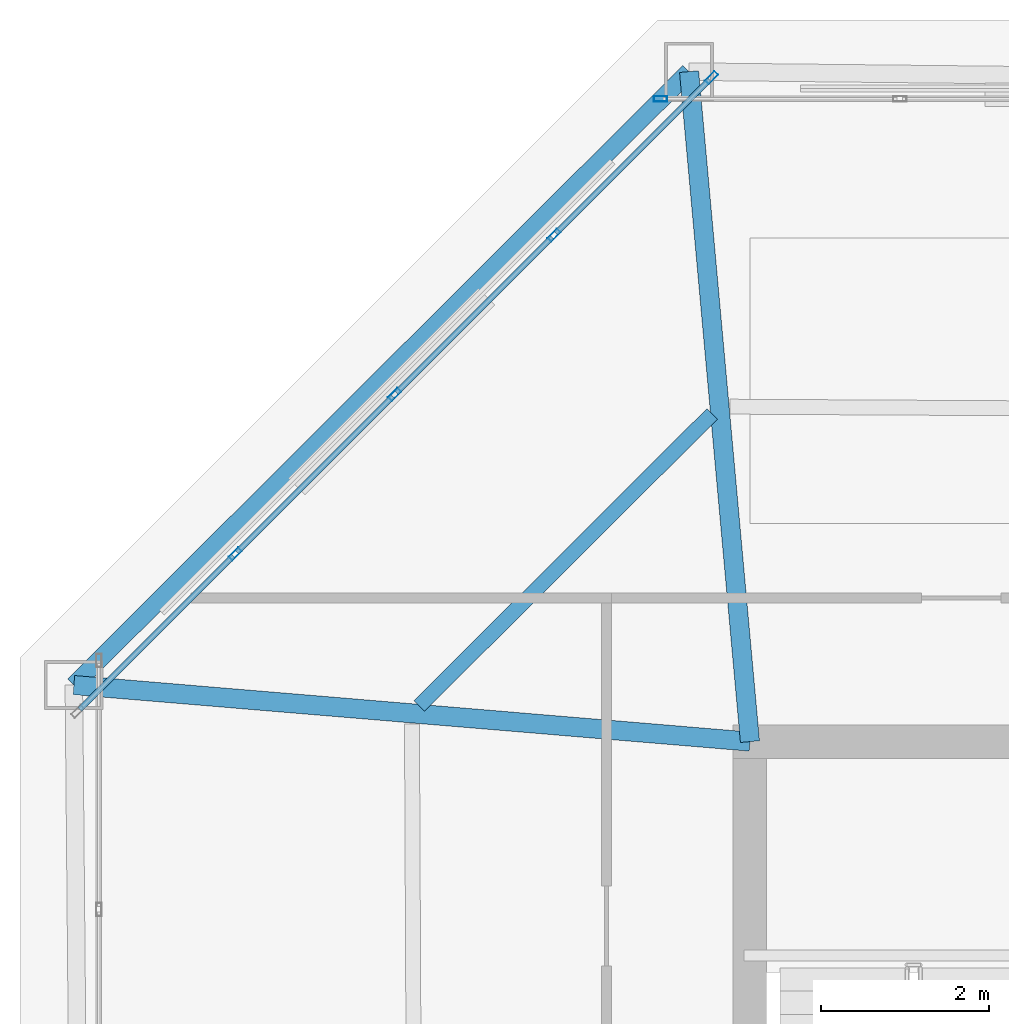
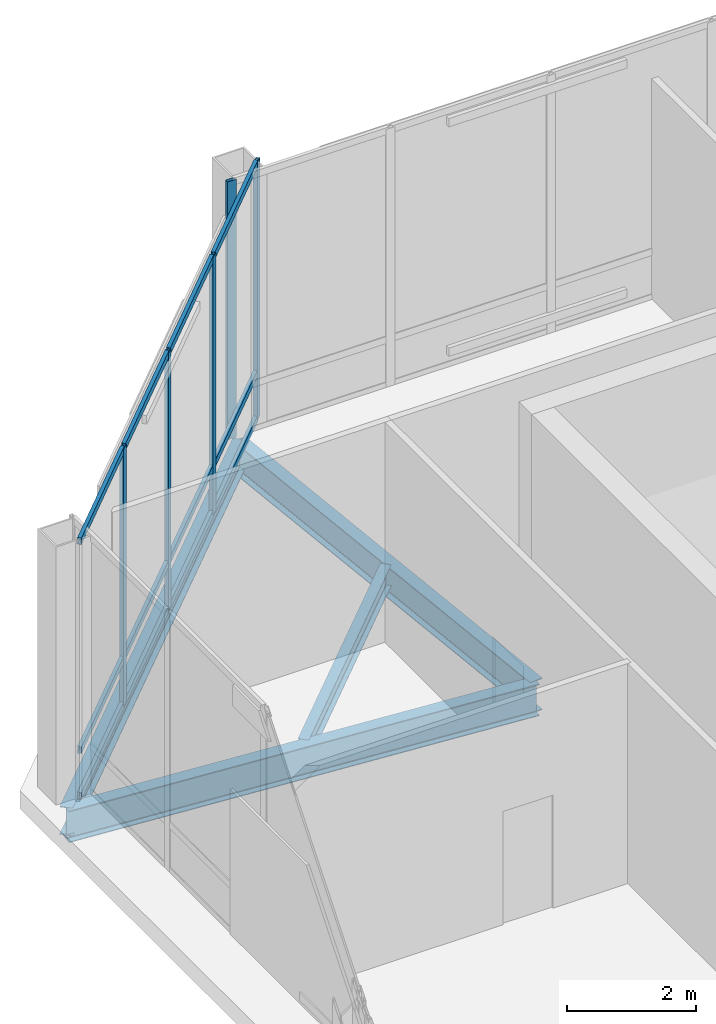
# One storey, part 10 of 21: 17 members, 4 beams, 2 elements without a shape of their own.
"""IFC4 building model written with IfcOpenShell, lengths in metres."""

import ifcopenshell
import ifcopenshell.guid

model = None  # the IFC model being written
_history = None  # IfcOwnerHistory: only IFC2X3 demands one
_inside = {}  # id of a spatial element -> (the spatial element, [elements in it])
_under = {}  # id of a project, library or spatial element -> (it, [spatial elements below it])
_declared = {}  # id of a project -> (the project, [libraries it declares])
_typed = {}  # id of a type object -> (the type object, [elements of that type])
_made_of = {}  # id of a material, layer set ... -> (it, [elements and type objects made of it])


def new_model(schema):
    """Start an empty IFC model of exactly this schema.

    Asked for "IFC4X3", IfcOpenShell would pick the latest addendum, in which some entities
    have other attributes; the version numbers below select the first issue.
    IFC2X3 requires an IfcOwnerHistory on every rooted entity: one is made here for all.
    """
    global model, _history
    if schema == "IFC4X3":
        model = ifcopenshell.file(schema_version=(4, 3, 0, 0))
    else:
        model = ifcopenshell.file(schema=schema)
    _inside.clear()
    _under.clear()
    _declared.clear()
    _typed.clear()
    _made_of.clear()
    _history = None
    if model.schema == "IFC2X3":
        org = make("IfcOrganization", Name="unknown")
        user = make(
            "IfcPersonAndOrganization",
            ThePerson=make("IfcPerson", FamilyName="unknown"),
            TheOrganization=org,
        )
        app = make(
            "IfcApplication",
            ApplicationDeveloper=org,
            Version="unknown",
            ApplicationFullName="unknown",
            ApplicationIdentifier="unknown",
        )
        _history = make(
            "IfcOwnerHistory",
            OwningUser=user,
            OwningApplication=app,
            ChangeAction="ADDED",
            CreationDate=0,
        )
    return model


def make(cls, **values):
    """One entity of the class cls with the attributes given. An attribute that is None is left unset."""
    return model.create_entity(
        cls, **{name: value for name, value in values.items() if value is not None}
    )


def rooted(cls, **values):
    """An entity with a GlobalId (a new one), such as an element, a storey or a relation."""
    return make(cls, GlobalId=ifcopenshell.guid.new(), OwnerHistory=_history, **values)


def si_unit(unit_type, name, prefix=None):
    """IfcSIUnit, for example si_unit("LENGTHUNIT", "METRE", prefix="MILLI")."""
    return make("IfcSIUnit", UnitType=unit_type, Prefix=prefix, Name=name)


def assignment(units):
    """IfcUnitAssignment: the units of a project."""
    return None if units is None else make("IfcUnitAssignment", Units=units)


def point(xyz):
    """IfcCartesianPoint."""
    return None if xyz is None else make("IfcCartesianPoint", Coordinates=xyz)


def direction(xyz):
    """IfcDirection."""
    return None if xyz is None else make("IfcDirection", DirectionRatios=xyz)


def frame(location, z_axis=None, x_axis=None):
    """IfcAxis2Placement3D, a coordinate frame: its origin and axes. An axis left out is left unset."""
    return make(
        "IfcAxis2Placement3D",
        Location=point(location),
        Axis=direction(z_axis),
        RefDirection=direction(x_axis),
    )


def frame_2d(location, x_axis=None):
    """IfcAxis2Placement2D, a coordinate frame in the plane: its origin and x axis."""
    return make(
        "IfcAxis2Placement2D", Location=point(location), RefDirection=direction(x_axis)
    )


def origin():
    """The frame at (0, 0, 0) with its axes left unset."""
    return frame((0.0, 0.0, 0.0))


def origin_2d():
    """The frame at (0, 0) in the plane with its x axis left unset."""
    return frame_2d((0.0, 0.0))


def place(relative_to, where):
    """IfcLocalPlacement: puts the frame where relative to a parent placement (None: the world)."""
    return make(
        "IfcLocalPlacement", PlacementRelTo=relative_to, RelativePlacement=where
    )


def context(
    kind, dimensions, precision=None, world=None, true_north=None, identifier=None
):
    """IfcGeometricRepresentationContext, for example the 3D "Model" context."""
    return make(
        "IfcGeometricRepresentationContext",
        ContextIdentifier=identifier,
        ContextType=kind,
        CoordinateSpaceDimension=dimensions,
        Precision=precision,
        WorldCoordinateSystem=world,
        TrueNorth=true_north,
    )


def subcontext(parent, identifier, kind, view, scale=None):
    """IfcGeometricRepresentationSubContext, for example "Body" below "Model"."""
    return make(
        "IfcGeometricRepresentationSubContext",
        ContextIdentifier=identifier,
        ContextType=kind,
        ParentContext=parent,
        TargetScale=scale,
        TargetView=view,
    )


def project(units=None, contexts=None):
    """IfcProject with its units and contexts."""
    return rooted(
        "IfcProject",
        Name="project",
        RepresentationContexts=contexts,
        UnitsInContext=assignment(units),
    )


def spatial(cls, under=None, at=None, **own):
    """A site, building, storey or space (cls), placed at a placement, below another one or the project."""
    s = rooted(cls, ObjectPlacement=at, **own)
    if under is not None:
        _under.setdefault(under.id(), (under, []))[1].append(s)
    return s


def profile(cls, at=None, kind="AREA", **sizes):
    """A parametric profile (cls). Its sizes go by their IFC names, for example OverallWidth=200.0."""
    return make(cls, ProfileType=kind, Position=at, **sizes)


def hollow_rectangle(**sizes):
    """IfcRectangleHollowProfileDef."""
    return profile("IfcRectangleHollowProfileDef", **sizes)


def i_section(**sizes):
    """IfcIShapeProfileDef."""
    return profile("IfcIShapeProfileDef", **sizes)


def extrude(swept, where, along, depth):
    """IfcExtrudedAreaSolid: the profile swept, set in the frame where, extruded along a direction by depth."""
    return make(
        "IfcExtrudedAreaSolid",
        SweptArea=swept,
        Position=where,
        ExtrudedDirection=direction(along),
        Depth=depth,
    )


def shape(context_of_items, identifier, shape_type, items):
    """IfcShapeRepresentation: the items that make up one representation, for example the "Body"."""
    return make(
        "IfcShapeRepresentation",
        ContextOfItems=context_of_items,
        RepresentationIdentifier=identifier,
        RepresentationType=shape_type,
        Items=items,
    )


def material(Name=None, Category=None):
    """IfcMaterial."""
    return make("IfcMaterial", Name=Name, Category=Category)


def layer(
    of_material, thickness, ventilated=None, Name=None, Category=None, Priority=None
):
    """IfcMaterialLayer: one layer of a wall or slab, of a material (None: an air gap)."""
    return make(
        "IfcMaterialLayer",
        Material=of_material,
        LayerThickness=thickness,
        IsVentilated=ventilated,
        Name=Name,
        Category=Category,
        Priority=Priority,
    )


def layer_set(layers, Name=None):
    """IfcMaterialLayerSet."""
    return make("IfcMaterialLayerSet", MaterialLayers=layers, LayerSetName=Name)


def material_profile(
    of_material, cross_section, Name=None, Category=None, Priority=None
):
    """IfcMaterialProfile: a cross section and its material."""
    return make(
        "IfcMaterialProfile",
        Name=Name,
        Material=of_material,
        Profile=cross_section,
        Priority=Priority,
        Category=Category,
    )


def profile_set(profiles, Name=None, composite=None):
    """IfcMaterialProfileSet."""
    return make(
        "IfcMaterialProfileSet",
        Name=Name,
        MaterialProfiles=profiles,
        CompositeProfile=composite,
    )


def made_of(thing, what):
    """Note that an element or type object is made of a material, layer set ...; save() writes the relation."""
    if what is not None:
        _made_of.setdefault(what.id(), (what, []))[1].append(thing)
    return thing


def type_object(cls, material=None, **own):
    """A type object (cls), such as IfcWallType, which elements share."""
    return made_of(rooted(cls, **own), material)


def element(
    cls,
    number,
    at=None,
    inside=None,
    cuts=None,
    type_object=None,
    material=None,
    context=None,
    identifier="Body",
    shape_type=None,
    held_by="IfcProductDefinitionShape",
    body=None,
    shapes=None,
    **own,
):
    """One element of the class cls, such as IfcWall. Its Tag is "e" and its number.

    at: its placement. inside: the storey or other place that contains it. cuts: it is an
    opening in that element (IfcRelVoidsElement). A single representation is given by context,
    identifier, shape_type and body (its items); several are given by shapes. held_by: the class
    of the entity that holds the representations. save() writes the other relations.
    """
    e = rooted(cls, Tag="e%d" % number, ObjectPlacement=at, **own)
    if body is not None:
        shapes = [shape(context, identifier, shape_type, body)]
    if shapes is not None:
        e.Representation = make(held_by, Representations=shapes)
    if inside is not None:
        _inside.setdefault(inside.id(), (inside, []))[1].append(e)
    if cuts is not None:
        rooted(
            "IfcRelVoidsElement", RelatingBuildingElement=cuts, RelatedOpeningElement=e
        )
    if type_object is not None:
        _typed.setdefault(type_object.id(), (type_object, []))[1].append(e)
    return made_of(e, material)


def aggregate(whole, parts):
    """IfcRelAggregates: a whole, such as a stair, and the parts it consists of."""
    return rooted("IfcRelAggregates", RelatingObject=whole, RelatedObjects=parts)


def save(model, path):
    """Write the relations noted so far, then the file.

    IfcRelAggregates (storeys below a building ...), IfcRelContainedInSpatialStructure (elements
    in a storey), IfcRelDefinesByType, IfcRelAssociatesMaterial and IfcRelDeclares: one each for
    every whole, place, type object, material and project.
    """
    for whole, parts in _under.values():
        aggregate(whole, parts)
    for where, things in _inside.values():
        rooted(
            "IfcRelContainedInSpatialStructure",
            RelatedElements=things,
            RelatingStructure=where,
        )
    for kind, things in _typed.values():
        rooted("IfcRelDefinesByType", RelatedObjects=things, RelatingType=kind)
    for what, things in _made_of.values():
        rooted("IfcRelAssociatesMaterial", RelatedObjects=things, RelatingMaterial=what)
    for by, libraries in _declared.values():
        rooted("IfcRelDeclares", RelatingContext=by, RelatedDefinitions=libraries)
    model.write(path)


model = new_model("IFC4")

# Units and contexts
model_context = context("Model", 3, precision=1e-05, world=origin(), true_north=direction((0.0, 1.0)))
body_context = subcontext(model_context, "Body", "Model", "MODEL_VIEW")
ifc_project = project(units=[si_unit("LENGTHUNIT", "METRE"), si_unit("AREAUNIT", "SQUARE_METRE"), si_unit("VOLUMEUNIT", "CUBIC_METRE"), si_unit("PLANEANGLEUNIT", "RADIAN"), si_unit("MASSUNIT", "GRAM", prefix="KILO")], contexts=[model_context])

# Site, building, storey
site_placement = place(None, origin())
site = spatial("IfcSite", under=ifc_project, at=site_placement, CompositionType="ELEMENT")
building_placement = place(site_placement, origin())
building = spatial("IfcBuilding", under=site, at=building_placement, Name="Caelvoria Tower", CompositionType="ELEMENT")
storey_placement = place(building_placement, frame((0.0, 0.0, 279.0)))
storey = spatial("IfcBuildingStorey", under=building, at=storey_placement, Name="L74", CompositionType="ELEMENT", Elevation=279.0)

# Curtain wall, member
ifc_material_1 = material(Name="Anodised Bronze Aluminium and Low-E Glass", Category="aluminium")
ifc_layer = layer(ifc_material_1, 0.205078125, Name="Anodised Bronze Aluminium and Low-E Glass")
ifc_layer_set = layer_set([ifc_layer], Name="CW System 5 Observation Panorama Low-Iron Facade - Anodised Bronze Aluminium and Low-E Glass")
curtain_wall_type = type_object("IfcCurtainWallType", Name="CW System 5 Observation Panorama Low-Iron Facade", PredefinedType="NOTDEFINED", material=ifc_layer_set)
curtain_wall_1_placement = place(storey_placement, origin())
curtain_wall_1 = element("IfcCurtainWall", 1, at=curtain_wall_1_placement, inside=storey, type_object=curtain_wall_type, Name="CW-05 Curtain Wall L74-E4", PredefinedType="NOTDEFINED")
ifc_material_2 = material(Name="Anodised Bronze Architectural Aluminium", Category="aluminium")
ifc_material_profile_1 = material_profile(ifc_material_2, hollow_rectangle(XDim=0.06494140625, YDim=0.159912109375, WallThickness=0.00390625, at=origin_2d()), Name="Anodised Bronze Architectural Aluminium")
ifc_profile_set_1 = profile_set([ifc_material_profile_1], Name="CW_MULL_65X160 - Anodised Bronze Architectural Aluminium")
member_type_1 = type_object("IfcMemberType", Name="Curtain Wall Mullion 65x160 Bronze Aluminium", PredefinedType="MULLION", material=ifc_profile_set_1)
member_1_placement = place(storey_placement, frame((35.9326171875, 47.659912109375, 0.0), z_axis=(0.0, 0.0, 1.0), x_axis=(0.0, -1.0, 0.0)))
member_1 = element("IfcMember", 2, at=member_1_placement, type_object=member_type_1, Name="CW-05 mullion 8", PredefinedType="MULLION", context=body_context, shape_type="SweptSolid", body=[
    extrude(hollow_rectangle(XDim=0.06494140625, YDim=0.159912109375, WallThickness=0.00390625, at=origin_2d()), origin(), (0.0, 0.0, 1.0), 4.89990234375),
])
aggregate(curtain_wall_1, [member_1])

# Curtain wall, members
curtain_wall_2_placement = place(storey_placement, origin())
curtain_wall_2 = element("IfcCurtainWall", 3, at=curtain_wall_2_placement, inside=storey, type_object=curtain_wall_type, Name="CW-05 Curtain Wall L74-E5", PredefinedType="NOTDEFINED")
member_2_placement = place(storey_placement, frame((36.541748046875, 47.912353515625, 0.0), z_axis=(0.0, 0.0, 1.0), x_axis=(0.707106781187, -0.707106781187, 0.0)))
member_2 = element("IfcMember", 4, at=member_2_placement, type_object=member_type_1, Name="CW-05 mullion 1", PredefinedType="MULLION", context=body_context, shape_type="SweptSolid", body=[
    extrude(hollow_rectangle(XDim=0.06494140625, YDim=0.159912109375, WallThickness=0.00390625, at=origin_2d()), origin(), (0.0, 0.0, 1.0), 4.89990234375),
])
member_3_placement = place(storey_placement, frame((34.664794921875, 46.035400390625, 0.0), z_axis=(0.0, 0.0, 1.0), x_axis=(0.707106781187, -0.707106781187, 0.0)))
member_3 = element("IfcMember", 5, at=member_3_placement, type_object=member_type_1, Name="CW-05 mullion 2", PredefinedType="MULLION", context=body_context, shape_type="SweptSolid", body=[
    extrude(hollow_rectangle(XDim=0.06494140625, YDim=0.159912109375, WallThickness=0.00390625, at=origin_2d()), origin(), (0.0, 0.0, 1.0), 4.89990234375),
])
member_4_placement = place(storey_placement, frame((32.7646484375, 44.13525390625, 0.0), z_axis=(0.0, 0.0, 1.0), x_axis=(0.707106781187, -0.707106781187, 0.0)))
member_4 = element("IfcMember", 6, at=member_4_placement, type_object=member_type_1, Name="CW-05 mullion 3", PredefinedType="MULLION", context=body_context, shape_type="SweptSolid", body=[
    extrude(hollow_rectangle(XDim=0.06494140625, YDim=0.159912109375, WallThickness=0.00390625, at=origin_2d()), origin(), (0.0, 0.0, 1.0), 4.89990234375),
])
member_5_placement = place(storey_placement, frame((30.86474609375, 42.2353515625, 0.0), z_axis=(0.0, 0.0, 1.0), x_axis=(0.707106781187, -0.707106781187, 0.0)))
member_5 = element("IfcMember", 7, at=member_5_placement, type_object=member_type_1, Name="CW-05 mullion 4", PredefinedType="MULLION", context=body_context, shape_type="SweptSolid", body=[
    extrude(hollow_rectangle(XDim=0.06494140625, YDim=0.159912109375, WallThickness=0.00390625, at=origin_2d()), origin(), (0.0, 0.0, 1.0), 4.89990234375),
])
ifc_material_profile_2 = material_profile(ifc_material_2, hollow_rectangle(XDim=0.06494140625, YDim=0.1298828125, WallThickness=0.00341796875, at=origin_2d()), Name="Anodised Bronze Architectural Aluminium")
ifc_profile_set_2 = profile_set([ifc_material_profile_2], Name="CW_TRAN_65X130 - Anodised Bronze Architectural Aluminium")
member_type_2 = type_object("IfcMemberType", Name="Curtain Wall Transom 65x130 Bronze Aluminium", PredefinedType="USERDEFINED", material=ifc_profile_set_2)
member_6_placement = place(storey_placement, frame((36.518798828125, 47.889404296875, 0.032470703125), z_axis=(-0.707106781187, -0.707106781187, 0.0), x_axis=(0.707106781187, -0.707106781187, 0.0)))
member_6 = element("IfcMember", 8, at=member_6_placement, type_object=member_type_2, Name="CW-05 transom 1.1", ObjectType="TRANSOM", PredefinedType="USERDEFINED", context=body_context, shape_type="SweptSolid", body=[
    extrude(hollow_rectangle(XDim=0.06494140625, YDim=0.1298828125, WallThickness=0.00341796875, at=origin_2d()), origin(), (0.0, 0.0, 1.0), 2.589599609375),
])
member_7_placement = place(storey_placement, frame((36.518798828125, 47.889404296875, 0.89990234375), z_axis=(-0.707106781187, -0.707106781187, 0.0), x_axis=(0.707106781187, -0.707106781187, 0.0)))
member_7 = element("IfcMember", 9, at=member_7_placement, type_object=member_type_2, Name="CW-05 transom 1.2", ObjectType="TRANSOM", PredefinedType="USERDEFINED", context=body_context, shape_type="SweptSolid", body=[
    extrude(hollow_rectangle(XDim=0.06494140625, YDim=0.1298828125, WallThickness=0.00341796875, at=origin_2d()), origin(), (0.0, 0.0, 1.0), 2.589599609375),
])
member_8_placement = place(storey_placement, frame((36.518798828125, 47.889404296875, 4.867431640625), z_axis=(-0.707106781187, -0.707106781187, 0.0), x_axis=(0.707106781187, -0.707106781187, 0.0)))
member_8 = element("IfcMember", 10, at=member_8_placement, type_object=member_type_2, Name="CW-05 transom 1.3", ObjectType="TRANSOM", PredefinedType="USERDEFINED", context=body_context, shape_type="SweptSolid", body=[
    extrude(hollow_rectangle(XDim=0.06494140625, YDim=0.1298828125, WallThickness=0.00341796875, at=origin_2d()), origin(), (0.0, 0.0, 1.0), 2.589599609375),
])
member_9_placement = place(storey_placement, frame((34.6416015625, 46.01220703125, 0.032470703125), z_axis=(-0.707106781187, -0.707106781187, 0.0), x_axis=(0.707106781187, -0.707106781187, 0.0)))
member_9 = element("IfcMember", 11, at=member_9_placement, type_object=member_type_2, Name="CW-05 transom 2.1", ObjectType="TRANSOM", PredefinedType="USERDEFINED", context=body_context, shape_type="SweptSolid", body=[
    extrude(hollow_rectangle(XDim=0.06494140625, YDim=0.1298828125, WallThickness=0.00341796875, at=origin_2d()), origin(), (0.0, 0.0, 1.0), 2.6220703125),
])
member_10_placement = place(storey_placement, frame((34.6416015625, 46.01220703125, 0.89990234375), z_axis=(-0.707106781187, -0.707106781187, 0.0), x_axis=(0.707106781187, -0.707106781187, 0.0)))
member_10 = element("IfcMember", 12, at=member_10_placement, type_object=member_type_2, Name="CW-05 transom 2.2", ObjectType="TRANSOM", PredefinedType="USERDEFINED", context=body_context, shape_type="SweptSolid", body=[
    extrude(hollow_rectangle(XDim=0.06494140625, YDim=0.1298828125, WallThickness=0.00341796875, at=origin_2d()), origin(), (0.0, 0.0, 1.0), 2.6220703125),
])
member_11_placement = place(storey_placement, frame((34.6416015625, 46.01220703125, 4.867431640625), z_axis=(-0.707106781187, -0.707106781187, 0.0), x_axis=(0.707106781187, -0.707106781187, 0.0)))
member_11 = element("IfcMember", 13, at=member_11_placement, type_object=member_type_2, Name="CW-05 transom 2.3", ObjectType="TRANSOM", PredefinedType="USERDEFINED", context=body_context, shape_type="SweptSolid", body=[
    extrude(hollow_rectangle(XDim=0.06494140625, YDim=0.1298828125, WallThickness=0.00341796875, at=origin_2d()), origin(), (0.0, 0.0, 1.0), 2.6220703125),
])
member_12_placement = place(storey_placement, frame((32.74169921875, 44.1123046875, 0.032470703125), z_axis=(-0.707106781187, -0.707106781187, 0.0), x_axis=(0.707106781187, -0.707106781187, 0.0)))
member_12 = element("IfcMember", 14, at=member_12_placement, type_object=member_type_2, Name="CW-05 transom 3.1", ObjectType="TRANSOM", PredefinedType="USERDEFINED", context=body_context, shape_type="SweptSolid", body=[
    extrude(hollow_rectangle(XDim=0.06494140625, YDim=0.1298828125, WallThickness=0.00341796875, at=origin_2d()), origin(), (0.0, 0.0, 1.0), 2.6220703125),
])
member_13_placement = place(storey_placement, frame((32.74169921875, 44.1123046875, 0.89990234375), z_axis=(-0.707106781187, -0.707106781187, 0.0), x_axis=(0.707106781187, -0.707106781187, 0.0)))
member_13 = element("IfcMember", 15, at=member_13_placement, type_object=member_type_2, Name="CW-05 transom 3.2", ObjectType="TRANSOM", PredefinedType="USERDEFINED", context=body_context, shape_type="SweptSolid", body=[
    extrude(hollow_rectangle(XDim=0.06494140625, YDim=0.1298828125, WallThickness=0.00341796875, at=origin_2d()), origin(), (0.0, 0.0, 1.0), 2.6220703125),
])
member_14_placement = place(storey_placement, frame((32.74169921875, 44.1123046875, 4.867431640625), z_axis=(-0.707106781187, -0.707106781187, 0.0), x_axis=(0.707106781187, -0.707106781187, 0.0)))
member_14 = element("IfcMember", 16, at=member_14_placement, type_object=member_type_2, Name="CW-05 transom 3.3", ObjectType="TRANSOM", PredefinedType="USERDEFINED", context=body_context, shape_type="SweptSolid", body=[
    extrude(hollow_rectangle(XDim=0.06494140625, YDim=0.1298828125, WallThickness=0.00341796875, at=origin_2d()), origin(), (0.0, 0.0, 1.0), 2.6220703125),
])
member_15_placement = place(storey_placement, frame((30.841796875, 42.21240234375, 0.032470703125), z_axis=(-0.707106781187, -0.707106781187, 0.0), x_axis=(0.707106781187, -0.707106781187, 0.0)))
member_15 = element("IfcMember", 17, at=member_15_placement, type_object=member_type_2, Name="CW-05 transom 4.1", ObjectType="TRANSOM", PredefinedType="USERDEFINED", context=body_context, shape_type="SweptSolid", body=[
    extrude(hollow_rectangle(XDim=0.06494140625, YDim=0.1298828125, WallThickness=0.00341796875, at=origin_2d()), origin(), (0.0, 0.0, 1.0), 2.589599609375),
])
member_16_placement = place(storey_placement, frame((30.841796875, 42.21240234375, 0.89990234375), z_axis=(-0.707106781187, -0.707106781187, 0.0), x_axis=(0.707106781187, -0.707106781187, 0.0)))
member_16 = element("IfcMember", 18, at=member_16_placement, type_object=member_type_2, Name="CW-05 transom 4.2", ObjectType="TRANSOM", PredefinedType="USERDEFINED", context=body_context, shape_type="SweptSolid", body=[
    extrude(hollow_rectangle(XDim=0.06494140625, YDim=0.1298828125, WallThickness=0.00341796875, at=origin_2d()), origin(), (0.0, 0.0, 1.0), 2.589599609375),
])
member_17_placement = place(storey_placement, frame((30.841796875, 42.21240234375, 4.867431640625), z_axis=(-0.707106781187, -0.707106781187, 0.0), x_axis=(0.707106781187, -0.707106781187, 0.0)))
member_17 = element("IfcMember", 19, at=member_17_placement, type_object=member_type_2, Name="CW-05 transom 4.3", ObjectType="TRANSOM", PredefinedType="USERDEFINED", context=body_context, shape_type="SweptSolid", body=[
    extrude(hollow_rectangle(XDim=0.06494140625, YDim=0.1298828125, WallThickness=0.00341796875, at=origin_2d()), origin(), (0.0, 0.0, 1.0), 2.589599609375),
])
aggregate(curtain_wall_2, [member_2, member_3, member_4, member_5, member_6, member_7, member_8, member_9, member_10, member_11, member_12, member_13, member_14, member_15, member_16, member_17])

# Beams
ifc_material_3 = material(Name="Structural Steel ASTM A992 Gr.50", Category="steel")
ifc_material_profile_3 = material_profile(ifc_material_3, i_section(OverallWidth=0.22802734375, OverallDepth=0.60302734375, WebThickness=0.010498046875, FlangeThickness=0.014892578125, FilletRadius=0.01806640625, at=origin_2d()), Name="Structural Steel ASTM A992 Gr.50")
ifc_profile_set_3 = profile_set([ifc_material_profile_3], Name="W610X101 - Structural Steel ASTM A992 Gr.50")
beam_type_1 = type_object("IfcBeamType", Name="Primary Floor Girder W610X101", PredefinedType="BEAM", material=ifc_profile_set_3)
beam_1_placement = place(storey_placement, frame((37.0, 40.0, -0.6416015625), z_axis=(-0.090527509595, 0.995893955201, 0.0), x_axis=(-0.995893955201, -0.090527509595, 0.0)))
element("IfcBeam", 20, at=beam_1_placement, inside=storey, type_object=beam_type_1, Name="Primary Floor Girder L74-08", PredefinedType="BEAM", context=body_context, shape_type="SweptSolid", body=[
    extrude(i_section(OverallWidth=0.22802734375, OverallDepth=0.60302734375, WebThickness=0.010498046875, FlangeThickness=0.014892578125, FilletRadius=0.01806640625, at=origin_2d()), origin(), (0.0, 0.0, 1.0), 8.017822265625),
])
beam_2_placement = place(storey_placement, frame((37.0, 40.0, -0.6416015625), z_axis=(-0.996524486988, 0.083300341138, 0.0), x_axis=(-0.083300341138, -0.996524486988, 0.0)))
element("IfcBeam", 21, at=beam_2_placement, inside=storey, type_object=beam_type_1, Name="Primary Floor Girder L74-09", PredefinedType="BEAM", context=body_context, shape_type="SweptSolid", body=[
    extrude(i_section(OverallWidth=0.22802734375, OverallDepth=0.60302734375, WebThickness=0.010498046875, FlangeThickness=0.014892578125, FilletRadius=0.01806640625, at=origin_2d()), origin(), (0.0, 0.0, 1.0), 8.086181640625),
])
ifc_material_profile_4 = material_profile(ifc_material_3, i_section(OverallWidth=0.177978515625, OverallDepth=0.406982421875, WebThickness=0.0078125, FlangeThickness=0.0126953125, FilletRadius=0.013916015625, at=origin_2d()), Name="Structural Steel ASTM A992 Gr.50")
ifc_profile_set_4 = profile_set([ifc_material_profile_4], Name="W410X60 - Structural Steel ASTM A992 Gr.50")
beam_type_2 = type_object("IfcBeamType", Name="Secondary Floor Beam W410X60", PredefinedType="BEAM", material=ifc_profile_set_4)
beam_3_placement = place(storey_placement, frame((36.548583984375, 43.904296875, -0.54345703125), z_axis=(-0.708121759504, -0.706090343877, 0.0), x_axis=(0.706090343877, -0.708121759504, 0.0)))
element("IfcBeam", 22, at=beam_3_placement, inside=storey, type_object=beam_type_2, Name="Secondary Floor Beam L74-08", PredefinedType="BEAM", context=body_context, shape_type="SweptSolid", body=[
    extrude(i_section(OverallWidth=0.177978515625, OverallDepth=0.406982421875, WebThickness=0.0078125, FlangeThickness=0.0126953125, FilletRadius=0.013916015625, at=origin_2d()), origin(), (0.0, 0.0, 1.0), 4.927490234375),
])
ifc_material_profile_5 = material_profile(ifc_material_3, i_section(OverallWidth=0.208984375, OverallDepth=0.532958984375, WebThickness=0.01025390625, FlangeThickness=0.015625, FilletRadius=0.01611328125, at=origin_2d()), Name="Structural Steel ASTM A992 Gr.50")
ifc_profile_set_5 = profile_set([ifc_material_profile_5], Name="W530X92 - Structural Steel ASTM A992 Gr.50")
beam_type_3 = type_object("IfcBeamType", Name="Upper Zone Spandrel W530X92", PredefinedType="BEAM", material=ifc_profile_set_5)
beam_4_placement = place(storey_placement, frame((36.274169921875, 47.98486328125, -0.6064453125), z_axis=(-0.708119910977, -0.706092197717, 0.0), x_axis=(0.706092197717, -0.708119910977, 0.0)))
element("IfcBeam", 23, at=beam_4_placement, inside=storey, type_object=beam_type_3, Name="Perimeter Spandrel Girder L74-08", PredefinedType="BEAM", context=body_context, shape_type="SweptSolid", body=[
    extrude(i_section(OverallWidth=0.208984375, OverallDepth=0.532958984375, WebThickness=0.01025390625, FlangeThickness=0.015625, FilletRadius=0.01611328125, at=origin_2d()), origin(), (0.0, 0.0, 1.0), 10.3544921875),
])

save(model, "model.ifc")
